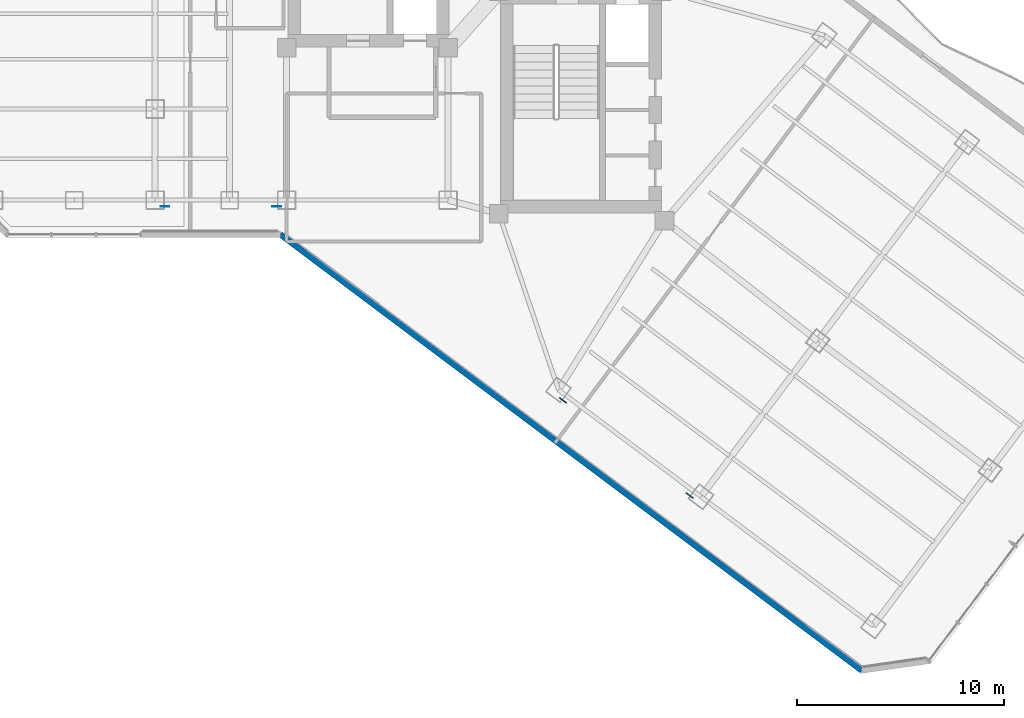
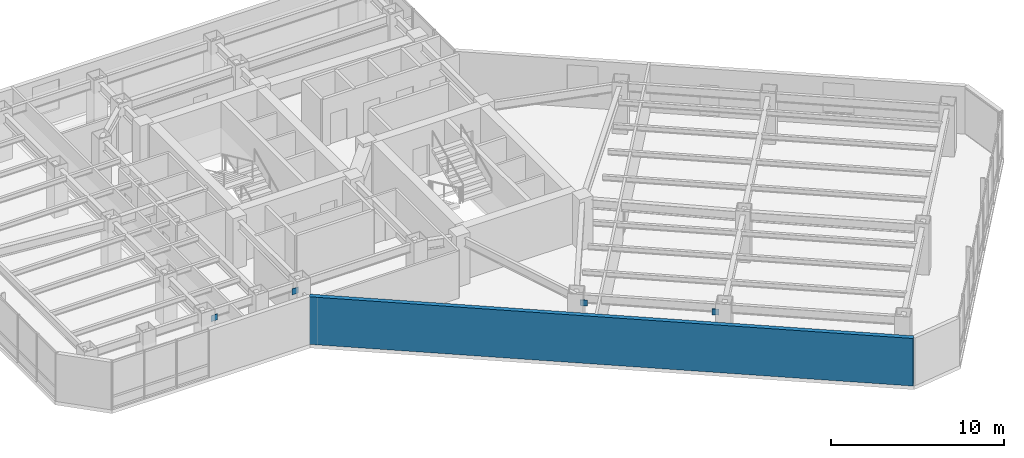
# One storey, part 21 of 29: 4 plates, 1 wall.
"""IFC4 building model written with IfcOpenShell, lengths in metres."""

from ifc_helpers import new_model, si_unit, direction, frame, frame_2d, origin, origin_2d, place, context, subcontext, project, spatial, rectangle, extrude, material, layer, layer_set, type_object, element, save


model = new_model("IFC4")

# Units and contexts
model_context = context("Model", 3, precision=1e-05, world=origin(), true_north=direction((0.0, 1.0)))
body_context = subcontext(model_context, "Body", "Model", "MODEL_VIEW")
ifc_project = project(units=[si_unit("LENGTHUNIT", "METRE"), si_unit("AREAUNIT", "SQUARE_METRE"), si_unit("VOLUMEUNIT", "CUBIC_METRE"), si_unit("PLANEANGLEUNIT", "RADIAN"), si_unit("MASSUNIT", "GRAM", prefix="KILO")], contexts=[model_context])

# Site, building, storey
site_placement = place(None, origin())
site = spatial("IfcSite", under=ifc_project, at=site_placement, CompositionType="ELEMENT")
building_placement = place(site_placement, origin())
building = spatial("IfcBuilding", under=site, at=building_placement, Name="Hatsunagi Terrace Concourse", CompositionType="ELEMENT")
storey_placement = place(building_placement, frame((0.0, 0.0, 115.64990234375)))
storey = spatial("IfcBuildingStorey", under=building, at=storey_placement, Name="L30", CompositionType="ELEMENT", Elevation=115.64990234375)

# Plates
ifc_material_1 = material(Name="Steel SN490C", Category="steel")
ifc_layer_1 = layer(ifc_material_1, 0.031982421875)
ifc_layer_set_1 = layer_set([ifc_layer_1], Name="XBraceNodeCapPlate_32")
plate_type = type_object("IfcPlateType", Name="XBraceNodeCapPlate_32", PredefinedType="USERDEFINED", material=ifc_layer_set_1)
for number, where, z_axis, x_axis, name in (
    (1, (19.675048828125, 24.89990234375, 2.7001953125), (0.0, 0.0, 1.0), (1.0, 0.0, 0.0), "Cast-In Core and Node Embed Plate GP-02 EP-XB-L28-W1-AT"),
    (2, (25.074951171875, 24.89990234375, 2.7001953125), (0.0, 0.0, 1.0), (1.0, 0.0, 0.0), "Cast-In Core and Node Embed Plate GP-02 EP-XB-L28-W1-BT"),
    (3, (38.89208984375, 15.531005859375, 2.7001953125), (0.0, 0.0, 1.0), (0.799999996291, -0.600000004945, 0.0), "Cast-In Core and Node Embed Plate GP-02 EP-XB-L28-SE-AT"),
    (4, (45.011962890625, 10.94091796875, 2.7001953125), (0.0, 0.0, 1.0), (0.799999996291, -0.600000004945, 0.0), "Cast-In Core and Node Embed Plate GP-02 EP-XB-L28-SE-BT"),
):
    element("IfcPlate", number, at=place(storey_placement, frame(where, z_axis=z_axis, x_axis=x_axis)), inside=storey, type_object=plate_type, Name=name, ObjectType="GUSSET_PLATE", PredefinedType="USERDEFINED", context=body_context, shape_type="SweptSolid", body=[
        extrude(rectangle(XDim=0.419921875, YDim=0.031982421875, at=origin_2d()), origin(), (0.0, 0.0, 1.0), 0.419921875),
    ])

# Wall
ifc_material_2 = material(Name="Autoclaved Lightweight Concrete and Terracotta Cladding", Category="masonry")
ifc_layer_2 = layer(ifc_material_2, 0.280029296875)
ifc_layer_set_2 = layer_set([ifc_layer_2], Name="TerracottaSpandrelWall_280")
wall_type = type_object("IfcWallType", Name="TerracottaSpandrelWall_280", PredefinedType="STANDARD", material=ifc_layer_set_2)
wall_placement = place(storey_placement, frame((53.318115234375, 2.487060546875, 0.0), z_axis=(0.0, 0.0, 1.0), x_axis=(-0.800004174678, 0.599994433723, 0.0)))
element("IfcWall", 5, at=wall_placement, inside=storey, type_object=wall_type, Name="Exterior Spandrel Wall EW-L30-05", PredefinedType="STANDARD", context=body_context, shape_type="SweptSolid", body=[
    extrude(rectangle(XDim=35.088623046875, YDim=0.280029296875, at=frame_2d((17.54443359375, 0.0))), origin(), (0.0, 0.0, 1.0), 3.35009765625),
])

save(model, "model.ifc")
